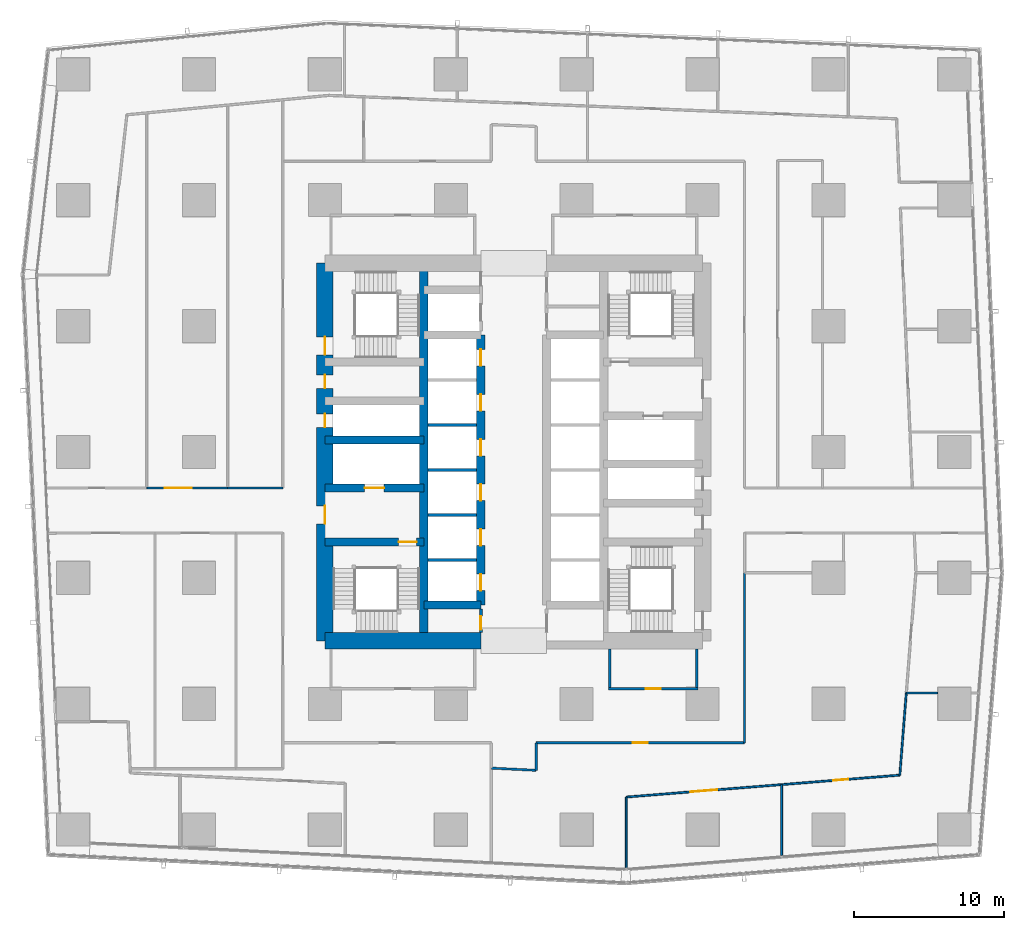
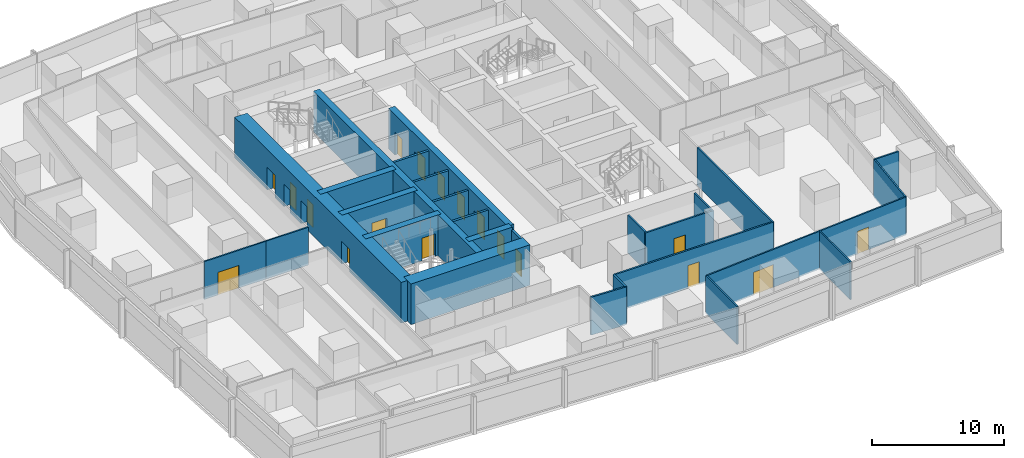
# One storey, part 32 of 44: 28 walls, 18 doors, 18 openings.
"""IFC4 building model written with IfcOpenShell, lengths in metres."""

from ifc_helpers import new_model, si_unit, direction, frame, frame_2d, origin, place, context, subcontext, project, spatial, rectangle, extrude, material, layer, layer_set, type_object, element, fill, save


model = new_model("IFC4")

# Units and contexts
model_context = context("Model", 3, precision=1e-05, world=origin(), true_north=direction((0.0, 1.0)))
body_context = subcontext(model_context, "Body", "Model", "MODEL_VIEW")
ifc_project = project(units=[si_unit("LENGTHUNIT", "METRE"), si_unit("AREAUNIT", "SQUARE_METRE"), si_unit("VOLUMEUNIT", "CUBIC_METRE"), si_unit("PLANEANGLEUNIT", "RADIAN"), si_unit("MASSUNIT", "GRAM", prefix="KILO")], contexts=[model_context])

# Site, building, storey
site_placement = place(None, origin())
site = spatial("IfcSite", under=ifc_project, at=site_placement, CompositionType="ELEMENT")
building_placement = place(site_placement, origin())
building = spatial("IfcBuilding", under=site, at=building_placement, Name="Rekha Terrace Tower", CompositionType="ELEMENT")
storey_placement = place(building_placement, frame((0.0, 0.0, 47.89990234375)))
storey = spatial("IfcBuildingStorey", under=building, at=storey_placement, Name="L11", CompositionType="ELEMENT", Elevation=47.89990234375)

# Wall
ifc_material_1 = material(Name="Concrete M70", Category="concrete")
ifc_layer_1 = layer(ifc_material_1, 0.550048828125)
ifc_layer_set_1 = layer_set([ifc_layer_1], Name="Concrete M70")
wall_type_1 = type_object("IfcWallType", Name="CI1 550 core internal shear wall", PredefinedType="SHEAR", material=ifc_layer_set_1)
wall_1_placement = place(storey_placement, frame((31.800048828125, 21.0, 0.0), z_axis=(0.0, 0.0, 1.0), x_axis=(0.0, 1.0, 0.0)))
element("IfcWall", 1, at=wall_1_placement, inside=storey, type_object=wall_type_1, Name="Core wall X318 L11", PredefinedType="SHEAR", context=body_context, shape_type="SweptSolid", body=[
    extrude(rectangle(XDim=25.199951171875, YDim=0.550048828125, at=frame_2d((12.60009765625, 0.0))), origin(), (0.0, 0.0, 1.0), 3.75),
])

# Wall, openings, doors
wall_2_placement = place(storey_placement, frame((35.60009765625, 23.39990234375, 0.0), z_axis=(0.0, 0.0, 1.0), x_axis=(0.0, 1.0, 0.0)))
wall_2 = element("IfcWall", 2, at=wall_2_placement, inside=storey, type_object=wall_type_1, Name="Core wall X356 L11", PredefinedType="SHEAR", context=body_context, shape_type="SweptSolid", body=[
    extrude(rectangle(XDim=18.0, YDim=0.550048828125, at=frame_2d((9.0, 0.0))), origin(), (0.0, 0.0, 1.0), 3.75),
])
opening_1_placement = place(wall_2_placement, frame((0.949951171875, 0.0, 0.0)))
opening_1 = element("IfcOpeningElement", 3, at=opening_1_placement, cuts=wall_2, Name="Opening LD1", PredefinedType="OPENING", context=body_context, shape_type="SweptSolid", body=[
    extrude(rectangle(XDim=1.10009765625, YDim=2.10009765625, at=frame_2d((0.550048828125, 1.050048828125))), frame((0.0, 0.284912109375, 0.0), z_axis=(0.0, -1.0, 0.0), x_axis=(1.0, 0.0, 0.0)), (0.0, 0.0, 1.0), 0.570068359375),
])
opening_2_placement = place(wall_2_placement, frame((3.949951171875, 0.0, 0.0)))
opening_2 = element("IfcOpeningElement", 4, at=opening_2_placement, cuts=wall_2, Name="Opening LD1", PredefinedType="OPENING", context=body_context, shape_type="SweptSolid", body=[
    extrude(rectangle(XDim=1.10009765625, YDim=2.10009765625, at=frame_2d((0.550048828125, 1.050048828125))), frame((0.0, 0.284912109375, 0.0), z_axis=(0.0, -1.0, 0.0), x_axis=(1.0, 0.0, 0.0)), (0.0, 0.0, 1.0), 0.570068359375),
])
opening_3_placement = place(wall_2_placement, frame((6.949951171875, 0.0, 0.0)))
opening_3 = element("IfcOpeningElement", 5, at=opening_3_placement, cuts=wall_2, Name="Opening LD1", PredefinedType="OPENING", context=body_context, shape_type="SweptSolid", body=[
    extrude(rectangle(XDim=1.10009765625, YDim=2.10009765625, at=frame_2d((0.550048828125, 1.050048828125))), frame((0.0, 0.284912109375, 0.0), z_axis=(0.0, -1.0, 0.0), x_axis=(1.0, 0.0, 0.0)), (0.0, 0.0, 1.0), 0.570068359375),
])
opening_4_placement = place(wall_2_placement, frame((9.949951171875, 0.0, 0.0)))
opening_4 = element("IfcOpeningElement", 6, at=opening_4_placement, cuts=wall_2, Name="Opening LD1", PredefinedType="OPENING", context=body_context, shape_type="SweptSolid", body=[
    extrude(rectangle(XDim=1.10009765625, YDim=2.10009765625, at=frame_2d((0.550048828125, 1.050048828125))), frame((0.0, 0.284912109375, 0.0), z_axis=(0.0, -1.0, 0.0), x_axis=(1.0, 0.0, 0.0)), (0.0, 0.0, 1.0), 0.570068359375),
])
opening_5_placement = place(wall_2_placement, frame((12.949951171875, 0.0, 0.0)))
opening_5 = element("IfcOpeningElement", 7, at=opening_5_placement, cuts=wall_2, Name="Opening LD1", PredefinedType="OPENING", context=body_context, shape_type="SweptSolid", body=[
    extrude(rectangle(XDim=1.10009765625, YDim=2.10009765625, at=frame_2d((0.550048828125, 1.050048828125))), frame((0.0, 0.284912109375, 0.0), z_axis=(0.0, -1.0, 0.0), x_axis=(1.0, 0.0, 0.0)), (0.0, 0.0, 1.0), 0.570068359375),
])
opening_6_placement = place(wall_2_placement, frame((15.949951171875, 0.0, 0.0)))
opening_6 = element("IfcOpeningElement", 8, at=opening_6_placement, cuts=wall_2, Name="Opening LD1", PredefinedType="OPENING", context=body_context, shape_type="SweptSolid", body=[
    extrude(rectangle(XDim=1.10009765625, YDim=2.10009765625, at=frame_2d((0.550048828125, 1.050048828125))), frame((0.0, 0.284912109375, 0.0), z_axis=(0.0, -1.0, 0.0), x_axis=(1.0, 0.0, 0.0)), (0.0, 0.0, 1.0), 0.570068359375),
])
ifc_material_2 = material(Name="Stainless steel sliding landing door", Category="steel")
door_type_1 = type_object("IfcDoorType", Name="LD1 1100x2100 lift landing door", OperationType="SLIDING_TO_LEFT", PredefinedType="USERDEFINED", material=ifc_material_2)
door_1_placement = place(opening_1_placement, origin())
door_1 = element("IfcDoor", 9, at=door_1_placement, inside=storey, type_object=door_type_1, Name="Lift A1 landing door L11", ObjectType="LIFT LANDING DOOR", OperationType="SLIDING_TO_LEFT", OverallHeight=2.10009765625, OverallWidth=1.10009765625, PredefinedType="USERDEFINED", context=body_context, shape_type="SweptSolid", body=[
    extrude(rectangle(XDim=1.10009765625, YDim=2.10009765625, at=frame_2d((0.550048828125, 1.050048828125))), frame((0.0, 0.02490234375, 0.0), z_axis=(0.0, -1.0, 0.0), x_axis=(1.0, 0.0, 0.0)), (0.0, 0.0, 1.0), 0.050048828125),
])
fill(opening_1, door_1)
door_2_placement = place(opening_2_placement, origin())
door_2 = element("IfcDoor", 10, at=door_2_placement, inside=storey, type_object=door_type_1, Name="Lift A2 landing door L11", ObjectType="LIFT LANDING DOOR", OperationType="SLIDING_TO_LEFT", OverallHeight=2.10009765625, OverallWidth=1.10009765625, PredefinedType="USERDEFINED", context=body_context, shape_type="SweptSolid", body=[
    extrude(rectangle(XDim=1.10009765625, YDim=2.10009765625, at=frame_2d((0.550048828125, 1.050048828125))), frame((0.0, 0.02490234375, 0.0), z_axis=(0.0, -1.0, 0.0), x_axis=(1.0, 0.0, 0.0)), (0.0, 0.0, 1.0), 0.050048828125),
])
fill(opening_2, door_2)
door_3_placement = place(opening_3_placement, origin())
door_3 = element("IfcDoor", 11, at=door_3_placement, inside=storey, type_object=door_type_1, Name="Lift A3 landing door L11", ObjectType="LIFT LANDING DOOR", OperationType="SLIDING_TO_LEFT", OverallHeight=2.10009765625, OverallWidth=1.10009765625, PredefinedType="USERDEFINED", context=body_context, shape_type="SweptSolid", body=[
    extrude(rectangle(XDim=1.10009765625, YDim=2.10009765625, at=frame_2d((0.550048828125, 1.050048828125))), frame((0.0, 0.02490234375, 0.0), z_axis=(0.0, -1.0, 0.0), x_axis=(1.0, 0.0, 0.0)), (0.0, 0.0, 1.0), 0.050048828125),
])
fill(opening_3, door_3)
door_4_placement = place(opening_4_placement, origin())
door_4 = element("IfcDoor", 12, at=door_4_placement, inside=storey, type_object=door_type_1, Name="Lift A4 landing door L11", ObjectType="LIFT LANDING DOOR", OperationType="SLIDING_TO_LEFT", OverallHeight=2.10009765625, OverallWidth=1.10009765625, PredefinedType="USERDEFINED", context=body_context, shape_type="SweptSolid", body=[
    extrude(rectangle(XDim=1.10009765625, YDim=2.10009765625, at=frame_2d((0.550048828125, 1.050048828125))), frame((0.0, 0.02490234375, 0.0), z_axis=(0.0, -1.0, 0.0), x_axis=(1.0, 0.0, 0.0)), (0.0, 0.0, 1.0), 0.050048828125),
])
fill(opening_4, door_4)
door_5_placement = place(opening_5_placement, origin())
door_5 = element("IfcDoor", 13, at=door_5_placement, inside=storey, type_object=door_type_1, Name="Lift A5 landing door L11", ObjectType="LIFT LANDING DOOR", OperationType="SLIDING_TO_LEFT", OverallHeight=2.10009765625, OverallWidth=1.10009765625, PredefinedType="USERDEFINED", context=body_context, shape_type="SweptSolid", body=[
    extrude(rectangle(XDim=1.10009765625, YDim=2.10009765625, at=frame_2d((0.550048828125, 1.050048828125))), frame((0.0, 0.02490234375, 0.0), z_axis=(0.0, -1.0, 0.0), x_axis=(1.0, 0.0, 0.0)), (0.0, 0.0, 1.0), 0.050048828125),
])
fill(opening_5, door_5)
door_6_placement = place(opening_6_placement, origin())
door_6 = element("IfcDoor", 14, at=door_6_placement, inside=storey, type_object=door_type_1, Name="Lift A6 landing door L11", ObjectType="LIFT LANDING DOOR", OperationType="SLIDING_TO_LEFT", OverallHeight=2.10009765625, OverallWidth=1.10009765625, PredefinedType="USERDEFINED", context=body_context, shape_type="SweptSolid", body=[
    extrude(rectangle(XDim=1.10009765625, YDim=2.10009765625, at=frame_2d((0.550048828125, 1.050048828125))), frame((0.0, 0.02490234375, 0.0), z_axis=(0.0, -1.0, 0.0), x_axis=(1.0, 0.0, 0.0)), (0.0, 0.0, 1.0), 0.050048828125),
])
fill(opening_6, door_6)

# Wall
wall_3_placement = place(storey_placement, frame((31.800048828125, 23.39990234375, 0.0), z_axis=(0.0, 0.0, 1.0), x_axis=(1.0, 0.0, 0.0)))
element("IfcWall", 15, at=wall_3_placement, inside=storey, type_object=wall_type_1, Name="Core wall Y234W L11", PredefinedType="SHEAR", context=body_context, shape_type="SweptSolid", body=[
    extrude(rectangle(XDim=3.800048828125, YDim=0.550048828125, at=frame_2d((1.89990234375, 0.0))), origin(), (0.0, 0.0, 1.0), 3.75),
])

# Wall, opening, door
wall_4_placement = place(storey_placement, frame((25.199951171875, 27.60009765625, 0.0), z_axis=(0.0, 0.0, 1.0), x_axis=(1.0, 0.0, 0.0)))
wall_4 = element("IfcWall", 16, at=wall_4_placement, inside=storey, type_object=wall_type_1, Name="Core wall Y276W L11", PredefinedType="SHEAR", context=body_context, shape_type="SweptSolid", body=[
    extrude(rectangle(XDim=6.60009765625, YDim=0.550048828125, at=frame_2d((3.300048828125, 0.0))), origin(), (0.0, 0.0, 1.0), 3.75),
])
opening_7_placement = place(wall_4_placement, frame((4.925048828125, 0.0, 0.0)))
opening_7 = element("IfcOpeningElement", 17, at=opening_7_placement, cuts=wall_4, Name="Opening D1", PredefinedType="OPENING", context=body_context, shape_type="SweptSolid", body=[
    extrude(rectangle(XDim=1.199951171875, YDim=2.10009765625, at=frame_2d((0.60009765625, 1.050048828125))), frame((0.0, 0.284912109375, 0.0), z_axis=(0.0, -1.0, 0.0), x_axis=(1.0, 0.0, 0.0)), (0.0, 0.0, 1.0), 0.570068359375),
])
ifc_material_3 = material(Name="Steel fire door", Category="steel")
door_type_2 = type_object("IfcDoorType", Name="D1 1200x2100 stair fire door", OperationType="SINGLE_SWING_RIGHT", PredefinedType="DOOR", material=ifc_material_3)
door_7_placement = place(opening_7_placement, origin())
door_7 = element("IfcDoor", 18, at=door_7_placement, inside=storey, type_object=door_type_2, Name="Stair ST1 door L11", OperationType="SINGLE_SWING_RIGHT", OverallHeight=2.10009765625, OverallWidth=1.199951171875, PredefinedType="DOOR", context=body_context, shape_type="SweptSolid", body=[
    extrude(rectangle(XDim=1.199951171875, YDim=2.10009765625, at=frame_2d((0.60009765625, 1.050048828125))), frame((0.0, 0.02490234375, 0.0), z_axis=(0.0, -1.0, 0.0), x_axis=(1.0, 0.0, 0.0)), (0.0, 0.0, 1.0), 0.050048828125),
])
fill(opening_7, door_7)

wall_5_placement = place(storey_placement, frame((25.199951171875, 31.199951171875, 0.0), z_axis=(0.0, 0.0, 1.0), x_axis=(1.0, 0.0, 0.0)))
wall_5 = element("IfcWall", 19, at=wall_5_placement, inside=storey, type_object=wall_type_1, Name="Core wall Y312W L11", PredefinedType="SHEAR", context=body_context, shape_type="SweptSolid", body=[
    extrude(rectangle(XDim=6.60009765625, YDim=0.550048828125, at=frame_2d((3.300048828125, 0.0))), origin(), (0.0, 0.0, 1.0), 3.75),
])
opening_8_placement = place(wall_5_placement, frame((2.64990234375, 0.0, 0.0)))
opening_8 = element("IfcOpeningElement", 20, at=opening_8_placement, cuts=wall_5, Name="Opening LD2", PredefinedType="OPENING", context=body_context, shape_type="SweptSolid", body=[
    extrude(rectangle(XDim=1.300048828125, YDim=2.10009765625, at=frame_2d((0.64990234375, 1.050048828125))), frame((0.0, 0.284912109375, 0.0), z_axis=(0.0, -1.0, 0.0), x_axis=(1.0, 0.0, 0.0)), (0.0, 0.0, 1.0), 0.570068359375),
])
door_type_3 = type_object("IfcDoorType", Name="LD2 1300x2100 fire lift landing door", OperationType="SLIDING_TO_LEFT", PredefinedType="USERDEFINED", material=ifc_material_2)
door_8_placement = place(opening_8_placement, origin())
door_8 = element("IfcDoor", 21, at=door_8_placement, inside=storey, type_object=door_type_3, Name="Lift FL1 landing door L11", ObjectType="LIFT LANDING DOOR", OperationType="SLIDING_TO_LEFT", OverallHeight=2.10009765625, OverallWidth=1.300048828125, PredefinedType="USERDEFINED", context=body_context, shape_type="SweptSolid", body=[
    extrude(rectangle(XDim=1.300048828125, YDim=2.10009765625, at=frame_2d((0.64990234375, 1.050048828125))), frame((0.0, 0.02490234375, 0.0), z_axis=(0.0, -1.0, 0.0), x_axis=(1.0, 0.0, 0.0)), (0.0, 0.0, 1.0), 0.050048828125),
])
fill(opening_8, door_8)

# Walls
wall_6_placement = place(storey_placement, frame((25.199951171875, 34.39990234375, 0.0), z_axis=(0.0, 0.0, 1.0), x_axis=(1.0, 0.0, 0.0)))
element("IfcWall", 22, at=wall_6_placement, inside=storey, type_object=wall_type_1, Name="Core wall Y344W L11", PredefinedType="SHEAR", context=body_context, shape_type="SweptSolid", body=[
    extrude(rectangle(XDim=6.60009765625, YDim=0.550048828125, at=frame_2d((3.300048828125, 0.0))), origin(), (0.0, 0.0, 1.0), 3.75),
])
ifc_layer_2 = layer(ifc_material_1, 1.10009765625)
ifc_layer_set_2 = layer_set([ifc_layer_2], Name="Concrete M70")
wall_type_2 = type_object("IfcWallType", Name="SW1 1100 core outer shear wall", PredefinedType="SHEAR", material=ifc_layer_set_2)
wall_7_placement = place(storey_placement, frame((25.199951171875, 21.0, 0.0), z_axis=(0.0, 0.0, 1.0), x_axis=(1.0, 0.0, 0.0)))
element("IfcWall", 23, at=wall_7_placement, inside=storey, type_object=wall_type_2, Name="Core wall S1 L11", PredefinedType="SHEAR", context=body_context, shape_type="SweptSolid", body=[
    extrude(rectangle(XDim=10.400146484375, YDim=1.10009765625, at=frame_2d((5.2001953125, 0.0))), origin(), (0.0, 0.0, 1.0), 3.75),
])

# Wall, openings, doors
wall_8_placement = place(storey_placement, frame((25.199951171875, 21.0, 0.0), z_axis=(0.0, 0.0, 1.0), x_axis=(0.0, 1.0, 0.0)))
wall_8 = element("IfcWall", 24, at=wall_8_placement, inside=storey, type_object=wall_type_2, Name="Core wall W L11", PredefinedType="SHEAR", context=body_context, shape_type="SweptSolid", body=[
    extrude(rectangle(XDim=25.199951171875, YDim=1.10009765625, at=frame_2d((12.60009765625, 0.0))), origin(), (0.0, 0.0, 1.0), 3.75),
])
opening_9_placement = place(wall_8_placement, frame((7.800048828125, 0.0, 0.0)))
opening_9 = element("IfcOpeningElement", 25, at=opening_9_placement, cuts=wall_8, Name="Opening D2", PredefinedType="OPENING", context=body_context, shape_type="SweptSolid", body=[
    extrude(rectangle(XDim=1.199951171875, YDim=2.10009765625, at=frame_2d((0.60009765625, 1.050048828125))), frame((0.0, 0.56005859375, 0.0), z_axis=(0.0, -1.0, 0.0), x_axis=(1.0, 0.0, 0.0)), (0.0, 0.0, 1.0), 1.1201171875),
])
opening_10_placement = place(wall_8_placement, frame((14.25, 0.0, 0.0)))
opening_10 = element("IfcOpeningElement", 26, at=opening_10_placement, cuts=wall_8, Name="Opening D5", PredefinedType="OPENING", context=body_context, shape_type="SweptSolid", body=[
    extrude(rectangle(XDim=0.89990234375, YDim=2.10009765625, at=frame_2d((0.449951171875, 1.050048828125))), frame((0.0, 0.56005859375, 0.0), z_axis=(0.0, -1.0, 0.0), x_axis=(1.0, 0.0, 0.0)), (0.0, 0.0, 1.0), 1.1201171875),
])
opening_11_placement = place(wall_8_placement, frame((16.85009765625, 0.0, 0.0)))
opening_11 = element("IfcOpeningElement", 27, at=opening_11_placement, cuts=wall_8, Name="Opening D5", PredefinedType="OPENING", context=body_context, shape_type="SweptSolid", body=[
    extrude(rectangle(XDim=0.89990234375, YDim=2.10009765625, at=frame_2d((0.449951171875, 1.050048828125))), frame((0.0, 0.56005859375, 0.0), z_axis=(0.0, -1.0, 0.0), x_axis=(1.0, 0.0, 0.0)), (0.0, 0.0, 1.0), 1.1201171875),
])
opening_12_placement = place(wall_8_placement, frame((19.074951171875, 0.0, 0.0)))
opening_12 = element("IfcOpeningElement", 28, at=opening_12_placement, cuts=wall_8, Name="Opening D1", PredefinedType="OPENING", context=body_context, shape_type="SweptSolid", body=[
    extrude(rectangle(XDim=1.199951171875, YDim=2.10009765625, at=frame_2d((0.60009765625, 1.050048828125))), frame((0.0, 0.56005859375, 0.0), z_axis=(0.0, -1.0, 0.0), x_axis=(1.0, 0.0, 0.0)), (0.0, 0.0, 1.0), 1.1201171875),
])
door_9_placement = place(opening_12_placement, origin())
door_9 = element("IfcDoor", 29, at=door_9_placement, inside=storey, type_object=door_type_2, Name="Stair ST4 door L11", OperationType="SINGLE_SWING_RIGHT", OverallHeight=2.10009765625, OverallWidth=1.199951171875, PredefinedType="DOOR", context=body_context, shape_type="SweptSolid", body=[
    extrude(rectangle(XDim=1.199951171875, YDim=2.10009765625, at=frame_2d((0.60009765625, 1.050048828125))), frame((0.0, 0.02490234375, 0.0), z_axis=(0.0, -1.0, 0.0), x_axis=(1.0, 0.0, 0.0)), (0.0, 0.0, 1.0), 0.050048828125),
])
fill(opening_12, door_9)
door_type_4 = type_object("IfcDoorType", Name="D2 1200x2100 firefighting lobby door", OperationType="SINGLE_SWING_LEFT", PredefinedType="DOOR", material=ifc_material_3)
door_10_placement = place(opening_9_placement, origin())
door_10 = element("IfcDoor", 30, at=door_10_placement, inside=storey, type_object=door_type_4, Name="Door flb1 L11", OperationType="SINGLE_SWING_LEFT", OverallHeight=2.10009765625, OverallWidth=1.199951171875, PredefinedType="DOOR", context=body_context, shape_type="SweptSolid", body=[
    extrude(rectangle(XDim=1.199951171875, YDim=2.10009765625, at=frame_2d((0.60009765625, 1.050048828125))), frame((0.0, 0.02490234375, 0.0), z_axis=(0.0, -1.0, 0.0), x_axis=(1.0, 0.0, 0.0)), (0.0, 0.0, 1.0), 0.050048828125),
])
fill(opening_9, door_10)
door_type_5 = type_object("IfcDoorType", Name="D5 900x2100 riser access door", OperationType="SINGLE_SWING_LEFT", PredefinedType="DOOR", material=ifc_material_3)
door_11_placement = place(opening_10_placement, origin())
door_11 = element("IfcDoor", 31, at=door_11_placement, inside=storey, type_object=door_type_5, Name="Door rs1 L11", OperationType="SINGLE_SWING_LEFT", OverallHeight=2.10009765625, OverallWidth=0.89990234375, PredefinedType="DOOR", context=body_context, shape_type="SweptSolid", body=[
    extrude(rectangle(XDim=0.89990234375, YDim=2.10009765625, at=frame_2d((0.449951171875, 1.050048828125))), frame((0.0, 0.02490234375, 0.0), z_axis=(0.0, -1.0, 0.0), x_axis=(1.0, 0.0, 0.0)), (0.0, 0.0, 1.0), 0.050048828125),
])
fill(opening_10, door_11)
door_12_placement = place(opening_11_placement, origin())
door_12 = element("IfcDoor", 32, at=door_12_placement, inside=storey, type_object=door_type_5, Name="Door elw L11", OperationType="SINGLE_SWING_LEFT", OverallHeight=2.10009765625, OverallWidth=0.89990234375, PredefinedType="DOOR", context=body_context, shape_type="SweptSolid", body=[
    extrude(rectangle(XDim=0.89990234375, YDim=2.10009765625, at=frame_2d((0.449951171875, 1.050048828125))), frame((0.0, 0.02490234375, 0.0), z_axis=(0.0, -1.0, 0.0), x_axis=(1.0, 0.0, 0.0)), (0.0, 0.0, 1.0), 0.050048828125),
])
fill(opening_11, door_12)

# Wall, opening, door
ifc_material_4 = material(Name="Concrete block masonry, 1 hour", Category="masonry")
ifc_layer_3 = layer(ifc_material_4, 0.14990234375)
ifc_layer_set_3 = layer_set([ifc_layer_3], Name="Concrete block masonry, 1 hour")
wall_type_3 = type_object("IfcWallType", Name="WP2 150 tenancy partition", PredefinedType="PARTITIONING", material=ifc_layer_set_3)
wall_9_placement = place(storey_placement, frame((44.125, 17.800048828125, 0.0), z_axis=(0.0, 0.0, 1.0), x_axis=(1.0, 0.0, 0.0)))
wall_9 = element("IfcWall", 33, at=wall_9_placement, inside=storey, type_object=wall_type_3, Name="Men's WC wall L11", PredefinedType="PARTITIONING", context=body_context, shape_type="SweptSolid", body=[
    extrude(rectangle(XDim=5.949951171875, YDim=0.14990234375, at=frame_2d((2.97509765625, 0.0))), origin(), (0.0, 0.0, 1.0), 3.5),
])
opening_13_placement = place(wall_9_placement, frame((2.47509765625, 0.0, 0.0)))
opening_13 = element("IfcOpeningElement", 34, at=opening_13_placement, cuts=wall_9, Name="Opening D3", PredefinedType="OPENING", context=body_context, shape_type="SweptSolid", body=[
    extrude(rectangle(XDim=1.0, YDim=2.10009765625, at=frame_2d((0.5, 1.050048828125))), frame((0.0, 0.0849609375, 0.0), z_axis=(0.0, -1.0, 0.0), x_axis=(1.0, 0.0, 0.0)), (0.0, 0.0, 1.0), 0.169921875),
])
ifc_material_5 = material(Name="Laminated timber fire door", Category="wood")
door_type_6 = type_object("IfcDoorType", Name="D3 1000x2100 WC door", OperationType="SINGLE_SWING_LEFT", PredefinedType="DOOR", material=ifc_material_5)
door_13_placement = place(opening_13_placement, origin())
door_13 = element("IfcDoor", 35, at=door_13_placement, inside=storey, type_object=door_type_6, Name="Door men's wc L11", OperationType="SINGLE_SWING_LEFT", OverallHeight=2.10009765625, OverallWidth=1.0, PredefinedType="DOOR", context=body_context, shape_type="SweptSolid", body=[
    extrude(rectangle(XDim=1.0, YDim=2.10009765625, at=frame_2d((0.5, 1.050048828125))), frame((0.0, 0.02490234375, 0.0), z_axis=(0.0, -1.0, 0.0), x_axis=(1.0, 0.0, 0.0)), (0.0, 0.0, 1.0), 0.050048828125),
])
fill(opening_13, door_13)

# Walls
for number, where, z_axis, x_axis, name in (
    (36, (44.199951171875, 17.875, 0.0), (0.0, 0.0, 1.0), (0.0, 1.0, 0.0), "Men's WC wall L11"),
    (37, (50.0, 17.875, 0.0), (0.0, 0.0, 1.0), (0.0, 1.0, 0.0), "Men's WC wall L11"),
):
    element("IfcWall", number, at=place(storey_placement, frame(where, z_axis=z_axis, x_axis=x_axis)), inside=storey, type_object=wall_type_3, Name=name, PredefinedType="PARTITIONING", context=body_context, shape_type="SweptSolid", body=[
        extrude(rectangle(XDim=2.574951171875, YDim=0.14990234375, at=frame_2d((1.28759765625, 0.0))), origin(), (0.0, 0.0, 1.0), 3.5),
    ])
wall_10_placement = place(storey_placement, frame((36.301025390625, 12.510009765625, 0.0), z_axis=(0.0, 0.0, 1.0), x_axis=(0.998801323594, -0.048948094823, 0.0)))
element("IfcWall", 38, at=wall_10_placement, inside=storey, type_object=wall_type_3, Name="Partition L11-O1", PredefinedType="PARTITIONING", context=body_context, shape_type="SweptSolid", body=[
    extrude(rectangle(XDim=3.002685546875, YDim=0.14990234375, at=frame_2d((1.50146484375, 0.0))), origin(), (0.0, 0.0, 1.0), 3.5),
])
wall_11_placement = place(storey_placement, frame((39.300048828125, 12.363037109375, 0.0), z_axis=(0.0, 0.0, 1.0), x_axis=(0.0, 1.0, 0.0)))
element("IfcWall", 39, at=wall_11_placement, inside=storey, type_object=wall_type_3, Name="Partition L11-O1", PredefinedType="PARTITIONING", context=body_context, shape_type="SweptSolid", body=[
    extrude(rectangle(XDim=1.8369140625, YDim=0.14990234375, at=frame_2d((0.91845703125, 0.0))), origin(), (0.0, 0.0, 1.0), 3.5),
])

# Wall, opening, door
wall_12_placement = place(storey_placement, frame((39.300048828125, 14.199951171875, 0.0), z_axis=(0.0, 0.0, 1.0), x_axis=(1.0, 0.0, 0.0)))
wall_12 = element("IfcWall", 40, at=wall_12_placement, inside=storey, type_object=wall_type_3, Name="Partition L11-O1", PredefinedType="PARTITIONING", context=body_context, shape_type="SweptSolid", body=[
    extrude(rectangle(XDim=13.89990234375, YDim=0.14990234375, at=frame_2d((6.949951171875, 0.0))), origin(), (0.0, 0.0, 1.0), 3.5),
])
opening_14_placement = place(wall_12_placement, frame((6.449951171875, 0.0, 0.0)))
opening_14 = element("IfcOpeningElement", 41, at=opening_14_placement, cuts=wall_12, Name="Opening D9", PredefinedType="OPENING", context=body_context, shape_type="SweptSolid", body=[
    extrude(rectangle(XDim=1.0, YDim=2.10009765625, at=frame_2d((0.5, 1.050048828125))), frame((0.0, 0.0849609375, 0.0), z_axis=(0.0, -1.0, 0.0), x_axis=(1.0, 0.0, 0.0)), (0.0, 0.0, 1.0), 0.169921875),
])
ifc_material_6 = material(Name="Timber fire door", Category="wood")
door_type_7 = type_object("IfcDoorType", Name="D9 1000x2100 office door", OperationType="SINGLE_SWING_LEFT", PredefinedType="DOOR", material=ifc_material_6)
door_14_placement = place(opening_14_placement, origin())
door_14 = element("IfcDoor", 42, at=door_14_placement, inside=storey, type_object=door_type_7, Name="Door open-plan office L11", OperationType="SINGLE_SWING_LEFT", OverallHeight=2.10009765625, OverallWidth=1.0, PredefinedType="DOOR", context=body_context, shape_type="SweptSolid", body=[
    extrude(rectangle(XDim=1.0, YDim=2.10009765625, at=frame_2d((0.5, 1.050048828125))), frame((0.0, 0.02490234375, 0.0), z_axis=(0.0, -1.0, 0.0), x_axis=(1.0, 0.0, 0.0)), (0.0, 0.0, 1.0), 0.050048828125),
])
fill(opening_14, door_14)

# Wall
wall_13_placement = place(storey_placement, frame((53.199951171875, 14.199951171875, 0.0), z_axis=(0.0, 0.0, 1.0), x_axis=(0.0, 1.0, 0.0)))
element("IfcWall", 43, at=wall_13_placement, inside=storey, type_object=wall_type_3, Name="Partition L11-O1", PredefinedType="PARTITIONING", context=body_context, shape_type="SweptSolid", body=[
    extrude(rectangle(XDim=11.35205078125, YDim=0.14990234375, at=frame_2d((5.676025390625, 0.0))), origin(), (0.0, 0.0, 1.0), 3.5),
])

# Wall, opening, door
ifc_material_7 = material(Name="Two layers of fire-rated gypsum board each side on steel studs, acoustic quilt, 1 hour", Category="steel")
ifc_layer_4 = layer(ifc_material_7, 0.125)
ifc_layer_set_4 = layer_set([ifc_layer_4], Name="Two layers of fire-rated gypsum board each side on steel studs, acoustic quilt, 1 hour")
wall_type_4 = type_object("IfcWallType", Name="WP3 125 office partition", PredefinedType="PARTITIONING", material=ifc_layer_set_4)
wall_14_placement = place(storey_placement, frame((45.304931640625, 10.580078125, 0.0), z_axis=(0.0, 0.0, 1.0), x_axis=(0.996803548009, 0.079891718455, 0.0)))
wall_14 = element("IfcWall", 44, at=wall_14_placement, inside=storey, type_object=wall_type_4, Name="Partition L11-02", PredefinedType="PARTITIONING", context=body_context, shape_type="SweptSolid", body=[
    extrude(rectangle(XDim=10.399169921875, YDim=0.125, at=frame_2d((5.19970703125, 0.0))), origin(), (0.0, 0.0, 1.0), 3.5),
])
opening_15_placement = place(wall_14_placement, frame((4.300048828125, 0.0, 0.0)))
opening_15 = element("IfcOpeningElement", 45, at=opening_15_placement, cuts=wall_14, Name="Opening D8", PredefinedType="OPENING", context=body_context, shape_type="SweptSolid", body=[
    extrude(rectangle(XDim=1.800048828125, YDim=2.10009765625, at=frame_2d((0.89990234375, 1.050048828125))), frame((0.0, 0.072509765625, 0.0), z_axis=(0.0, -1.0, 0.0), x_axis=(1.0, 0.0, 0.0)), (0.0, 0.0, 1.0), 0.14501953125),
])
door_type_8 = type_object("IfcDoorType", Name="D8 1800x2100 double leaf door", OperationType="DOUBLE_DOOR_SINGLE_SWING", PredefinedType="DOOR", material=ifc_material_6)
door_15_placement = place(opening_15_placement, origin())
door_15 = element("IfcDoor", 46, at=door_15_placement, inside=storey, type_object=door_type_8, Name="Door reference library L11", OperationType="DOUBLE_DOOR_SINGLE_SWING", OverallHeight=2.10009765625, OverallWidth=1.800048828125, PredefinedType="DOOR", context=body_context, shape_type="SweptSolid", body=[
    extrude(rectangle(XDim=1.800048828125, YDim=2.10009765625, at=frame_2d((0.89990234375, 1.050048828125))), frame((0.0, 0.02490234375, 0.0), z_axis=(0.0, -1.0, 0.0), x_axis=(1.0, 0.0, 0.0)), (0.0, 0.0, 1.0), 0.050048828125),
])
fill(opening_15, door_15)

# Walls
wall_15_placement = place(storey_placement, frame((55.6708984375, 11.410888671875, 0.0), z_axis=(0.0, 0.0, 1.0), x_axis=(0.0, -1.0, 0.0)))
element("IfcWall", 47, at=wall_15_placement, inside=storey, type_object=wall_type_4, Name="Partition L11-02", PredefinedType="PARTITIONING", context=body_context, shape_type="SweptSolid", body=[
    extrude(rectangle(XDim=4.73583984375, YDim=0.125, at=frame_2d((2.367919921875, 0.0))), origin(), (0.0, 0.0, 1.0), 3.5),
])
wall_16_placement = place(storey_placement, frame((45.304931640625, 5.844970703125, 0.0), z_axis=(0.0, 0.0, 1.0), x_axis=(0.0, 1.0, 0.0)))
element("IfcWall", 48, at=wall_16_placement, inside=storey, type_object=wall_type_4, Name="Partition L11-02", PredefinedType="PARTITIONING", context=body_context, shape_type="SweptSolid", body=[
    extrude(rectangle(XDim=4.735107421875, YDim=0.125, at=frame_2d((2.36767578125, 0.0))), origin(), (0.0, 0.0, 1.0), 3.5),
])

# Wall, opening, door
wall_17_placement = place(storey_placement, frame((55.673095703125, 11.410888671875, 0.0), z_axis=(0.0, 0.0, 1.0), x_axis=(0.996808893134, 0.079824999652, 0.0)))
wall_17 = element("IfcWall", 49, at=wall_17_placement, inside=storey, type_object=wall_type_4, Name="Partition L11-03", PredefinedType="PARTITIONING", context=body_context, shape_type="SweptSolid", body=[
    extrude(rectangle(XDim=7.906005859375, YDim=0.125, at=frame_2d((3.953125, 0.0))), origin(), (0.0, 0.0, 1.0), 3.5),
])
opening_16_placement = place(wall_17_placement, frame((3.452880859375, 0.0, 0.0)))
opening_16 = element("IfcOpeningElement", 50, at=opening_16_placement, cuts=wall_17, Name="Opening D9", PredefinedType="OPENING", context=body_context, shape_type="SweptSolid", body=[
    extrude(rectangle(XDim=1.0, YDim=2.10009765625, at=frame_2d((0.5, 1.050048828125))), frame((0.0, 0.072509765625, 0.0), z_axis=(0.0, -1.0, 0.0), x_axis=(1.0, 0.0, 0.0)), (0.0, 0.0, 1.0), 0.14501953125),
])
door_16_placement = place(opening_16_placement, origin())
door_16 = element("IfcDoor", 51, at=door_16_placement, inside=storey, type_object=door_type_7, Name="Door director's office L11", OperationType="SINGLE_SWING_LEFT", OverallHeight=2.10009765625, OverallWidth=1.0, PredefinedType="DOOR", context=body_context, shape_type="SweptSolid", body=[
    extrude(rectangle(XDim=1.0, YDim=2.10009765625, at=frame_2d((0.5, 1.050048828125))), frame((0.0, 0.02490234375, 0.0), z_axis=(0.0, -1.0, 0.0), x_axis=(1.0, 0.0, 0.0)), (0.0, 0.0, 1.0), 0.050048828125),
])
fill(opening_16, door_16)

# Walls
wall_18_placement = place(storey_placement, frame((63.553955078125, 12.0419921875, 0.0), z_axis=(0.0, 0.0, 1.0), x_axis=(0.078951000854, 0.996878497844, 0.0)))
element("IfcWall", 52, at=wall_18_placement, inside=storey, type_object=wall_type_4, Name="Partition L11-03", PredefinedType="PARTITIONING", context=body_context, shape_type="SweptSolid", body=[
    extrude(rectangle(XDim=5.498046875, YDim=0.125, at=frame_2d((2.7490234375, 0.0))), origin(), (0.0, 0.0, 1.0), 3.5),
])
wall_19_placement = place(storey_placement, frame((63.988037109375, 17.52294921875, 0.0), z_axis=(0.0, 0.0, 1.0), x_axis=(1.0, 0.0, 0.0)))
element("IfcWall", 53, at=wall_19_placement, inside=storey, type_object=wall_type_4, Name="Partition L11-03", PredefinedType="PARTITIONING", context=body_context, shape_type="SweptSolid", body=[
    extrude(rectangle(XDim=2.092041015625, YDim=0.125, at=frame_2d((1.0458984375, 0.0))), origin(), (0.0, 0.0, 1.0), 3.5),
])

# Wall, opening, door
wall_20_placement = place(storey_placement, frame((18.717041015625, 31.199951171875, 0.0), z_axis=(0.0, 0.0, 1.0), x_axis=(-1.0, 0.0, 0.0)))
wall_20 = element("IfcWall", 54, at=wall_20_placement, inside=storey, type_object=wall_type_4, Name="Partition L11-17", PredefinedType="PARTITIONING", context=body_context, shape_type="SweptSolid", body=[
    extrude(rectangle(XDim=5.400146484375, YDim=0.125, at=frame_2d((2.7001953125, 0.0))), origin(), (0.0, 0.0, 1.0), 3.5),
])
opening_17_placement = place(wall_20_placement, frame((2.39990234375, 0.0, 0.0)))
opening_17 = element("IfcOpeningElement", 55, at=opening_17_placement, cuts=wall_20, Name="Opening D8", PredefinedType="OPENING", context=body_context, shape_type="SweptSolid", body=[
    extrude(rectangle(XDim=1.800048828125, YDim=2.10009765625, at=frame_2d((0.89990234375, 1.050048828125))), frame((0.0, 0.072509765625, 0.0), z_axis=(0.0, -1.0, 0.0), x_axis=(1.0, 0.0, 0.0)), (0.0, 0.0, 1.0), 0.14501953125),
])
door_17_placement = place(opening_17_placement, origin())
door_17 = element("IfcDoor", 56, at=door_17_placement, inside=storey, type_object=door_type_8, Name="Door wellness room L11", OperationType="DOUBLE_DOOR_SINGLE_SWING", OverallHeight=2.10009765625, OverallWidth=1.800048828125, PredefinedType="DOOR", context=body_context, shape_type="SweptSolid", body=[
    extrude(rectangle(XDim=1.800048828125, YDim=2.10009765625, at=frame_2d((0.89990234375, 1.050048828125))), frame((0.0, 0.02490234375, 0.0), z_axis=(0.0, -1.0, 0.0), x_axis=(1.0, 0.0, 0.0)), (0.0, 0.0, 1.0), 0.050048828125),
])
fill(opening_17, door_17)

# Walls
wall_21_placement = place(storey_placement, frame((22.39990234375, 31.199951171875, 0.0), z_axis=(0.0, 0.0, 1.0), x_axis=(-1.0, 0.0, 0.0)))
element("IfcWall", 57, at=wall_21_placement, inside=storey, type_object=wall_type_4, Name="Partition L11-18", PredefinedType="PARTITIONING", context=body_context, shape_type="SweptSolid", body=[
    extrude(rectangle(XDim=3.682861328125, YDim=0.125, at=frame_2d((1.84130859375, 0.0))), origin(), (0.0, 0.0, 1.0), 3.5),
])
ifc_material_8 = material(Name="Solid concrete block masonry, 2 hour", Category="masonry")
ifc_layer_5 = layer(ifc_material_8, 0.199951171875)
ifc_layer_set_5 = layer_set([ifc_layer_5], Name="Solid concrete block masonry, 2 hour")
wall_type_5 = type_object("IfcWallType", Name="WS1 200 stair and shaft enclosure", PredefinedType="PARTITIONING", material=ifc_layer_set_5)
for number, where, z_axis, x_axis, name in (
    (58, (32.074951171875, 26.39990234375, 0.0), (0.0, 0.0, 1.0), (1.0, 0.0, 0.0), "Lift shaft divider L11"),
    (59, (32.074951171875, 29.39990234375, 0.0), (0.0, 0.0, 1.0), (1.0, 0.0, 0.0), "Lift shaft divider L11"),
    (60, (32.074951171875, 32.39990234375, 0.0), (0.0, 0.0, 1.0), (1.0, 0.0, 0.0), "Lift shaft divider L11"),
    (61, (32.074951171875, 35.39990234375, 0.0), (0.0, 0.0, 1.0), (1.0, 0.0, 0.0), "Lift shaft divider L11"),
):
    element("IfcWall", number, at=place(storey_placement, frame(where, z_axis=z_axis, x_axis=x_axis)), inside=storey, type_object=wall_type_5, Name=name, PredefinedType="PARTITIONING", context=body_context, shape_type="SweptSolid", body=[
        extrude(rectangle(XDim=3.25, YDim=0.199951171875, at=frame_2d((1.625, 0.0))), origin(), (0.0, 0.0, 1.0), 3.5),
    ])

# Wall, opening, door
wall_22_placement = place(storey_placement, frame((35.60009765625, 21.550048828125, 0.0), z_axis=(0.0, 0.0, 1.0), x_axis=(0.0, 1.0, 0.0)))
wall_22 = element("IfcWall", 62, at=wall_22_placement, inside=storey, type_object=wall_type_5, Name="Core partition west L11", PredefinedType="PARTITIONING", context=body_context, shape_type="SweptSolid", body=[
    extrude(rectangle(XDim=1.574951171875, YDim=0.199951171875, at=frame_2d((0.78759765625, 0.0))), origin(), (0.0, 0.0, 1.0), 3.5),
])
opening_18_placement = place(wall_22_placement, frame((0.199951171875, 0.0, 0.0)))
opening_18 = element("IfcOpeningElement", 63, at=opening_18_placement, cuts=wall_22, Name="Opening D5", PredefinedType="OPENING", context=body_context, shape_type="SweptSolid", body=[
    extrude(rectangle(XDim=0.89990234375, YDim=2.10009765625, at=frame_2d((0.449951171875, 1.050048828125))), frame((0.0, 0.10986328125, 0.0), z_axis=(0.0, -1.0, 0.0), x_axis=(1.0, 0.0, 0.0)), (0.0, 0.0, 1.0), 0.219970703125),
])
door_18_placement = place(opening_18_placement, origin())
door_18 = element("IfcDoor", 64, at=door_18_placement, inside=storey, type_object=door_type_5, Name="Door tenant store L11", OperationType="SINGLE_SWING_LEFT", OverallHeight=2.10009765625, OverallWidth=0.89990234375, PredefinedType="DOOR", context=body_context, shape_type="SweptSolid", body=[
    extrude(rectangle(XDim=0.89990234375, YDim=2.10009765625, at=frame_2d((0.449951171875, 1.050048828125))), frame((0.0, 0.02490234375, 0.0), z_axis=(0.0, -1.0, 0.0), x_axis=(1.0, 0.0, 0.0)), (0.0, 0.0, 1.0), 0.050048828125),
])
fill(opening_18, door_18)

save(model, "model.ifc")
